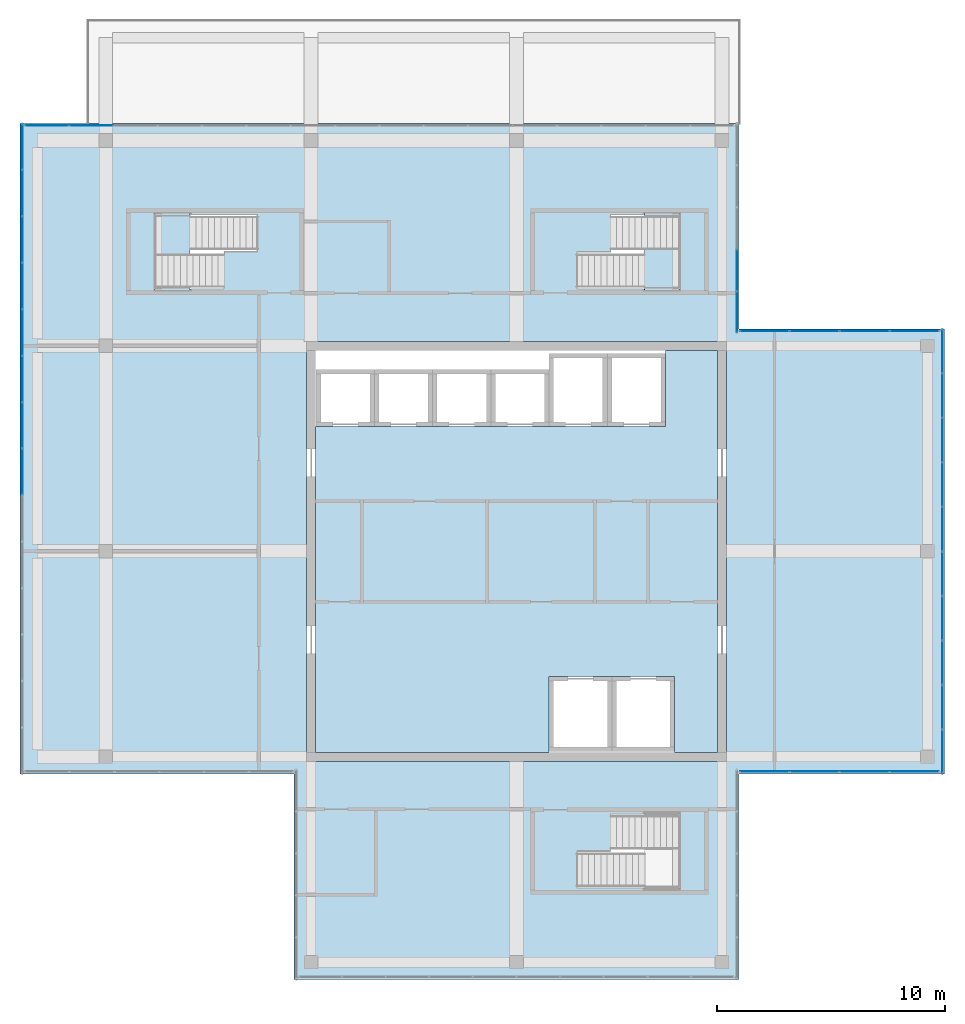
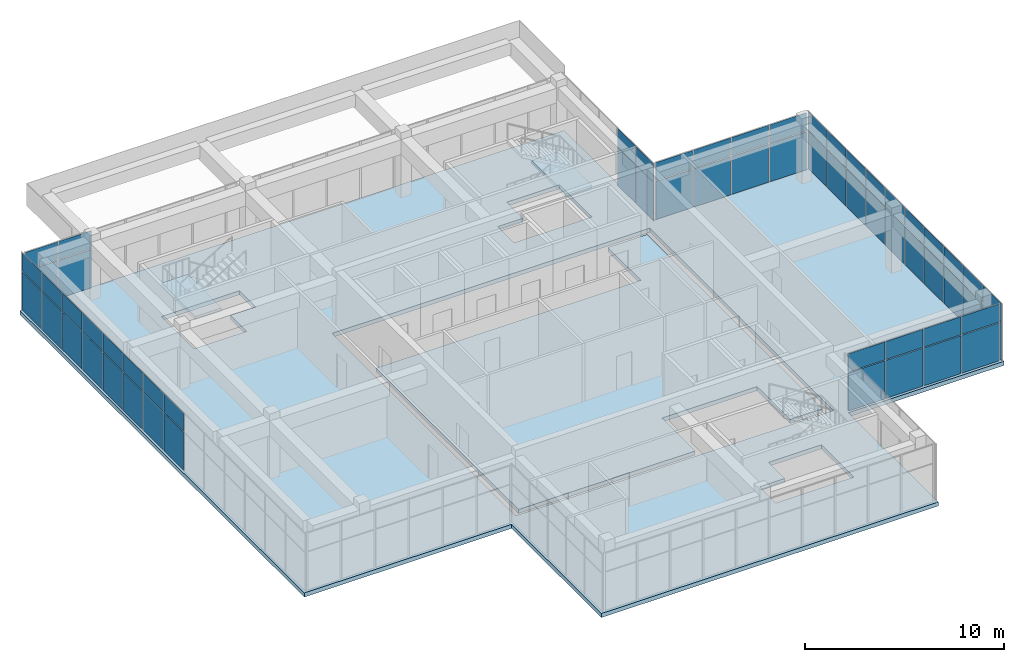
# One storey, part 30 of 35: 60 plates, 4 slabs, 8 elements without a shape of their own.
"""IFC4 building model written with IfcOpenShell, lengths in metres."""

from ifc_helpers import new_model, si_unit, direction, frame, origin, origin_2d, place, context, subcontext, project, spatial, polyline, rectangle, outline, extrude, material, layer, layer_set, type_object, element, aggregate, save


model = new_model("IFC4")

# Units and contexts
model_context = context("Model", 3, precision=1e-05, world=origin(), true_north=direction((0.0, 1.0)))
body_context = subcontext(model_context, "Body", "Model", "MODEL_VIEW")
ifc_project = project(units=[si_unit("LENGTHUNIT", "METRE"), si_unit("AREAUNIT", "SQUARE_METRE"), si_unit("VOLUMEUNIT", "CUBIC_METRE"), si_unit("PLANEANGLEUNIT", "RADIAN"), si_unit("MASSUNIT", "GRAM", prefix="KILO")], contexts=[model_context])

# Site, building, storey
site_placement = place(None, origin())
site = spatial("IfcSite", under=ifc_project, at=site_placement, CompositionType="ELEMENT")
building_placement = place(site_placement, origin())
building = spatial("IfcBuilding", under=site, at=building_placement, Name="Tuart Plaza Theatre", CompositionType="ELEMENT")
storey_placement = place(building_placement, frame((0.0, 0.0, 49.5)))
storey = spatial("IfcBuildingStorey", under=building, at=storey_placement, Name="L12", CompositionType="ELEMENT", Elevation=49.5)

# Curtain wall, plates
ifc_material_1 = material(Name="Aluminium and glass", Category="aluminium")
ifc_layer_1 = layer(ifc_material_1, 0.10009765625)
ifc_layer_set_1 = layer_set([ifc_layer_1], Name="CURTAIN WALL 2000 module")
curtain_wall_type = type_object("IfcCurtainWallType", Name="CURTAIN WALL 2000 module", PredefinedType="NOTDEFINED", material=ifc_layer_set_1)
curtain_wall_1_placement = place(storey_placement, origin())
curtain_wall_1 = element("IfcCurtainWall", 1, at=curtain_wall_1_placement, inside=storey, type_object=curtain_wall_type, Name="CW101", PredefinedType="NOTDEFINED")
ifc_material_2 = material(Name="Glass", Category="glass")
ifc_layer_2 = layer(ifc_material_2, 0.028076171875)
ifc_layer_set_2 = layer_set([ifc_layer_2], Name="CURTAIN PANEL double glazed 28")
plate_type_1 = type_object("IfcPlateType", Name="CURTAIN PANEL double glazed 28", PredefinedType="CURTAIN_PANEL", material=ifc_layer_set_2)
plate_1_placement = place(storey_placement, frame((142.862548828125, 64.35009765625, 0.0498046875), z_axis=(0.0, 0.0, 1.0), x_axis=(1.0, 0.0, 0.0)))
plate_1 = element("IfcPlate", 2, at=plate_1_placement, type_object=plate_type_1, Name="CW101 panel 1.1", PredefinedType="CURTAIN_PANEL", context=body_context, shape_type="SweptSolid", body=[
    extrude(rectangle(XDim=2.125, YDim=0.028076171875, at=origin_2d()), origin(), (0.0, 0.0, 1.0), 2.324951171875),
])
plate_2_placement = place(storey_placement, frame((142.862548828125, 64.35009765625, 2.425048828125), z_axis=(0.0, 0.0, 1.0), x_axis=(1.0, 0.0, 0.0)))
plate_2 = element("IfcPlate", 3, at=plate_2_placement, type_object=plate_type_1, Name="CW101 panel 1.2", PredefinedType="CURTAIN_PANEL", context=body_context, shape_type="SweptSolid", body=[
    extrude(rectangle(XDim=2.125, YDim=0.028076171875, at=origin_2d()), origin(), (0.0, 0.0, 1.0), 1.10498046875),
])
plate_3_placement = place(storey_placement, frame((145.050048828125, 64.35009765625, 0.0498046875), z_axis=(0.0, 0.0, 1.0), x_axis=(1.0, 0.0, 0.0)))
plate_3 = element("IfcPlate", 4, at=plate_3_placement, type_object=plate_type_1, Name="CW101 panel 2.1", PredefinedType="CURTAIN_PANEL", context=body_context, shape_type="SweptSolid", body=[
    extrude(rectangle(XDim=2.14990234375, YDim=0.028076171875, at=origin_2d()), origin(), (0.0, 0.0, 1.0), 2.324951171875),
])
plate_4_placement = place(storey_placement, frame((145.050048828125, 64.35009765625, 2.425048828125), z_axis=(0.0, 0.0, 1.0), x_axis=(1.0, 0.0, 0.0)))
plate_4 = element("IfcPlate", 5, at=plate_4_placement, type_object=plate_type_1, Name="CW101 panel 2.2", PredefinedType="CURTAIN_PANEL", context=body_context, shape_type="SweptSolid", body=[
    extrude(rectangle(XDim=2.14990234375, YDim=0.028076171875, at=origin_2d()), origin(), (0.0, 0.0, 1.0), 1.10498046875),
])
plate_5_placement = place(storey_placement, frame((149.4375, 64.35009765625, 0.0498046875), z_axis=(0.0, 0.0, 1.0), x_axis=(1.0, 0.0, 0.0)))
plate_5 = element("IfcPlate", 6, at=plate_5_placement, type_object=plate_type_1, Name="CW101 panel 4.1", PredefinedType="CURTAIN_PANEL", context=body_context, shape_type="SweptSolid", body=[
    extrude(rectangle(XDim=2.125, YDim=0.028076171875, at=origin_2d()), origin(), (0.0, 0.0, 1.0), 2.324951171875),
])
plate_6_placement = place(storey_placement, frame((149.4375, 64.35009765625, 2.425048828125), z_axis=(0.0, 0.0, 1.0), x_axis=(1.0, 0.0, 0.0)))
plate_6 = element("IfcPlate", 7, at=plate_6_placement, type_object=plate_type_1, Name="CW101 panel 4.2", PredefinedType="CURTAIN_PANEL", context=body_context, shape_type="SweptSolid", body=[
    extrude(rectangle(XDim=2.125, YDim=0.028076171875, at=origin_2d()), origin(), (0.0, 0.0, 1.0), 1.10498046875),
])

curtain_wall_2_placement = place(storey_placement, origin())
curtain_wall_2 = element("IfcCurtainWall", 8, at=curtain_wall_2_placement, inside=storey, type_object=curtain_wall_type, Name="CW102", PredefinedType="NOTDEFINED")
plate_7_placement = place(storey_placement, frame((150.64990234375, 65.237548828125, 0.0498046875), z_axis=(0.0, 0.0, 1.0), x_axis=(0.0, 1.0, 0.0)))
plate_7 = element("IfcPlate", 9, at=plate_7_placement, type_object=plate_type_1, Name="CW102 panel 1.1", PredefinedType="CURTAIN_PANEL", context=body_context, shape_type="SweptSolid", body=[
    extrude(rectangle(XDim=1.875, YDim=0.028076171875, at=origin_2d()), origin(), (0.0, 0.0, 1.0), 2.324951171875),
])
plate_8_placement = place(storey_placement, frame((150.64990234375, 65.237548828125, 2.425048828125), z_axis=(0.0, 0.0, 1.0), x_axis=(0.0, 1.0, 0.0)))
plate_8 = element("IfcPlate", 10, at=plate_8_placement, type_object=plate_type_1, Name="CW102 panel 1.2", PredefinedType="CURTAIN_PANEL", context=body_context, shape_type="SweptSolid", body=[
    extrude(rectangle(XDim=1.875, YDim=0.028076171875, at=origin_2d()), origin(), (0.0, 0.0, 1.0), 1.10498046875),
])
plate_9_placement = place(storey_placement, frame((150.64990234375, 67.175048828125, 0.0498046875), z_axis=(0.0, 0.0, 1.0), x_axis=(0.0, 1.0, 0.0)))
plate_9 = element("IfcPlate", 11, at=plate_9_placement, type_object=plate_type_1, Name="CW102 panel 2.1", PredefinedType="CURTAIN_PANEL", context=body_context, shape_type="SweptSolid", body=[
    extrude(rectangle(XDim=1.89990234375, YDim=0.028076171875, at=origin_2d()), origin(), (0.0, 0.0, 1.0), 2.324951171875),
])
plate_10_placement = place(storey_placement, frame((150.64990234375, 67.175048828125, 2.425048828125), z_axis=(0.0, 0.0, 1.0), x_axis=(0.0, 1.0, 0.0)))
plate_10 = element("IfcPlate", 12, at=plate_10_placement, type_object=plate_type_1, Name="CW102 panel 2.2", PredefinedType="CURTAIN_PANEL", context=body_context, shape_type="SweptSolid", body=[
    extrude(rectangle(XDim=1.89990234375, YDim=0.028076171875, at=origin_2d()), origin(), (0.0, 0.0, 1.0), 1.10498046875),
])
plate_11_placement = place(storey_placement, frame((150.64990234375, 69.125, 0.0498046875), z_axis=(0.0, 0.0, 1.0), x_axis=(0.0, 1.0, 0.0)))
plate_11 = element("IfcPlate", 13, at=plate_11_placement, type_object=plate_type_1, Name="CW102 panel 3.1", PredefinedType="CURTAIN_PANEL", context=body_context, shape_type="SweptSolid", body=[
    extrude(rectangle(XDim=1.89990234375, YDim=0.028076171875, at=origin_2d()), origin(), (0.0, 0.0, 1.0), 2.324951171875),
])
plate_12_placement = place(storey_placement, frame((150.64990234375, 69.125, 2.425048828125), z_axis=(0.0, 0.0, 1.0), x_axis=(0.0, 1.0, 0.0)))
plate_12 = element("IfcPlate", 14, at=plate_12_placement, type_object=plate_type_1, Name="CW102 panel 3.2", PredefinedType="CURTAIN_PANEL", context=body_context, shape_type="SweptSolid", body=[
    extrude(rectangle(XDim=1.89990234375, YDim=0.028076171875, at=origin_2d()), origin(), (0.0, 0.0, 1.0), 1.10498046875),
])
plate_13_placement = place(storey_placement, frame((150.64990234375, 71.074951171875, 0.0498046875), z_axis=(0.0, 0.0, 1.0), x_axis=(0.0, 1.0, 0.0)))
plate_13 = element("IfcPlate", 15, at=plate_13_placement, type_object=plate_type_1, Name="CW102 panel 4.1", PredefinedType="CURTAIN_PANEL", context=body_context, shape_type="SweptSolid", body=[
    extrude(rectangle(XDim=1.89990234375, YDim=0.028076171875, at=origin_2d()), origin(), (0.0, 0.0, 1.0), 2.324951171875),
])
plate_14_placement = place(storey_placement, frame((150.64990234375, 71.074951171875, 2.425048828125), z_axis=(0.0, 0.0, 1.0), x_axis=(0.0, 1.0, 0.0)))
plate_14 = element("IfcPlate", 16, at=plate_14_placement, type_object=plate_type_1, Name="CW102 panel 4.2", PredefinedType="CURTAIN_PANEL", context=body_context, shape_type="SweptSolid", body=[
    extrude(rectangle(XDim=1.89990234375, YDim=0.028076171875, at=origin_2d()), origin(), (0.0, 0.0, 1.0), 1.10498046875),
])
plate_15_placement = place(storey_placement, frame((150.64990234375, 73.02490234375, 0.0498046875), z_axis=(0.0, 0.0, 1.0), x_axis=(0.0, 1.0, 0.0)))
plate_15 = element("IfcPlate", 17, at=plate_15_placement, type_object=plate_type_1, Name="CW102 panel 5.1", PredefinedType="CURTAIN_PANEL", context=body_context, shape_type="SweptSolid", body=[
    extrude(rectangle(XDim=1.89990234375, YDim=0.028076171875, at=origin_2d()), origin(), (0.0, 0.0, 1.0), 2.324951171875),
])
plate_16_placement = place(storey_placement, frame((150.64990234375, 73.02490234375, 2.425048828125), z_axis=(0.0, 0.0, 1.0), x_axis=(0.0, 1.0, 0.0)))
plate_16 = element("IfcPlate", 18, at=plate_16_placement, type_object=plate_type_1, Name="CW102 panel 5.2", PredefinedType="CURTAIN_PANEL", context=body_context, shape_type="SweptSolid", body=[
    extrude(rectangle(XDim=1.89990234375, YDim=0.028076171875, at=origin_2d()), origin(), (0.0, 0.0, 1.0), 1.10498046875),
])
plate_17_placement = place(storey_placement, frame((150.64990234375, 74.97509765625, 0.0498046875), z_axis=(0.0, 0.0, 1.0), x_axis=(0.0, 1.0, 0.0)))
plate_17 = element("IfcPlate", 19, at=plate_17_placement, type_object=plate_type_1, Name="CW102 panel 6.1", PredefinedType="CURTAIN_PANEL", context=body_context, shape_type="SweptSolid", body=[
    extrude(rectangle(XDim=1.89990234375, YDim=0.028076171875, at=origin_2d()), origin(), (0.0, 0.0, 1.0), 2.324951171875),
])
plate_18_placement = place(storey_placement, frame((150.64990234375, 74.97509765625, 2.425048828125), z_axis=(0.0, 0.0, 1.0), x_axis=(0.0, 1.0, 0.0)))
plate_18 = element("IfcPlate", 20, at=plate_18_placement, type_object=plate_type_1, Name="CW102 panel 6.2", PredefinedType="CURTAIN_PANEL", context=body_context, shape_type="SweptSolid", body=[
    extrude(rectangle(XDim=1.89990234375, YDim=0.028076171875, at=origin_2d()), origin(), (0.0, 0.0, 1.0), 1.10498046875),
])
plate_19_placement = place(storey_placement, frame((150.64990234375, 76.925048828125, 0.0498046875), z_axis=(0.0, 0.0, 1.0), x_axis=(0.0, 1.0, 0.0)))
plate_19 = element("IfcPlate", 21, at=plate_19_placement, type_object=plate_type_1, Name="CW102 panel 7.1", PredefinedType="CURTAIN_PANEL", context=body_context, shape_type="SweptSolid", body=[
    extrude(rectangle(XDim=1.89990234375, YDim=0.028076171875, at=origin_2d()), origin(), (0.0, 0.0, 1.0), 2.324951171875),
])
plate_20_placement = place(storey_placement, frame((150.64990234375, 76.925048828125, 2.425048828125), z_axis=(0.0, 0.0, 1.0), x_axis=(0.0, 1.0, 0.0)))
plate_20 = element("IfcPlate", 22, at=plate_20_placement, type_object=plate_type_1, Name="CW102 panel 7.2", PredefinedType="CURTAIN_PANEL", context=body_context, shape_type="SweptSolid", body=[
    extrude(rectangle(XDim=1.89990234375, YDim=0.028076171875, at=origin_2d()), origin(), (0.0, 0.0, 1.0), 1.10498046875),
])
plate_21_placement = place(storey_placement, frame((150.64990234375, 78.875, 0.0498046875), z_axis=(0.0, 0.0, 1.0), x_axis=(0.0, 1.0, 0.0)))
plate_21 = element("IfcPlate", 23, at=plate_21_placement, type_object=plate_type_1, Name="CW102 panel 8.1", PredefinedType="CURTAIN_PANEL", context=body_context, shape_type="SweptSolid", body=[
    extrude(rectangle(XDim=1.89990234375, YDim=0.028076171875, at=origin_2d()), origin(), (0.0, 0.0, 1.0), 2.324951171875),
])
plate_22_placement = place(storey_placement, frame((150.64990234375, 78.875, 2.425048828125), z_axis=(0.0, 0.0, 1.0), x_axis=(0.0, 1.0, 0.0)))
plate_22 = element("IfcPlate", 24, at=plate_22_placement, type_object=plate_type_1, Name="CW102 panel 8.2", PredefinedType="CURTAIN_PANEL", context=body_context, shape_type="SweptSolid", body=[
    extrude(rectangle(XDim=1.89990234375, YDim=0.028076171875, at=origin_2d()), origin(), (0.0, 0.0, 1.0), 1.10498046875),
])
plate_23_placement = place(storey_placement, frame((150.64990234375, 80.824951171875, 0.0498046875), z_axis=(0.0, 0.0, 1.0), x_axis=(0.0, 1.0, 0.0)))
plate_23 = element("IfcPlate", 25, at=plate_23_placement, type_object=plate_type_1, Name="CW102 panel 9.1", PredefinedType="CURTAIN_PANEL", context=body_context, shape_type="SweptSolid", body=[
    extrude(rectangle(XDim=1.89990234375, YDim=0.028076171875, at=origin_2d()), origin(), (0.0, 0.0, 1.0), 2.324951171875),
])
plate_24_placement = place(storey_placement, frame((150.64990234375, 80.824951171875, 2.425048828125), z_axis=(0.0, 0.0, 1.0), x_axis=(0.0, 1.0, 0.0)))
plate_24 = element("IfcPlate", 26, at=plate_24_placement, type_object=plate_type_1, Name="CW102 panel 9.2", PredefinedType="CURTAIN_PANEL", context=body_context, shape_type="SweptSolid", body=[
    extrude(rectangle(XDim=1.89990234375, YDim=0.028076171875, at=origin_2d()), origin(), (0.0, 0.0, 1.0), 1.10498046875),
])
plate_25_placement = place(storey_placement, frame((150.64990234375, 82.762451171875, 0.0498046875), z_axis=(0.0, 0.0, 1.0), x_axis=(0.0, 1.0, 0.0)))
plate_25 = element("IfcPlate", 27, at=plate_25_placement, type_object=plate_type_1, Name="CW102 panel 10.1", PredefinedType="CURTAIN_PANEL", context=body_context, shape_type="SweptSolid", body=[
    extrude(rectangle(XDim=1.875, YDim=0.028076171875, at=origin_2d()), origin(), (0.0, 0.0, 1.0), 2.324951171875),
])
plate_26_placement = place(storey_placement, frame((150.64990234375, 82.762451171875, 2.425048828125), z_axis=(0.0, 0.0, 1.0), x_axis=(0.0, 1.0, 0.0)))
plate_26 = element("IfcPlate", 28, at=plate_26_placement, type_object=plate_type_1, Name="CW102 panel 10.2", PredefinedType="CURTAIN_PANEL", context=body_context, shape_type="SweptSolid", body=[
    extrude(rectangle(XDim=1.875, YDim=0.028076171875, at=origin_2d()), origin(), (0.0, 0.0, 1.0), 1.10498046875),
])
aggregate(curtain_wall_2, [plate_7, plate_8, plate_9, plate_10, plate_11, plate_12, plate_13, plate_14, plate_15, plate_16, plate_17, plate_18, plate_19, plate_20, plate_21, plate_22, plate_23, plate_24, plate_25, plate_26])

curtain_wall_3_placement = place(storey_placement, origin())
curtain_wall_3 = element("IfcCurtainWall", 29, at=curtain_wall_3_placement, inside=storey, type_object=curtain_wall_type, Name="CW103", PredefinedType="NOTDEFINED")
plate_27_placement = place(storey_placement, frame((149.4375, 83.64990234375, 0.0498046875), z_axis=(0.0, 0.0, 1.0), x_axis=(-1.0, 0.0, 0.0)))
plate_27 = element("IfcPlate", 30, at=plate_27_placement, type_object=plate_type_1, Name="CW103 panel 1.1", PredefinedType="CURTAIN_PANEL", context=body_context, shape_type="SweptSolid", body=[
    extrude(rectangle(XDim=2.125, YDim=0.028076171875, at=origin_2d()), origin(), (0.0, 0.0, 1.0), 2.324951171875),
])
plate_28_placement = place(storey_placement, frame((149.4375, 83.64990234375, 2.425048828125), z_axis=(0.0, 0.0, 1.0), x_axis=(-1.0, 0.0, 0.0)))
plate_28 = element("IfcPlate", 31, at=plate_28_placement, type_object=plate_type_1, Name="CW103 panel 1.2", PredefinedType="CURTAIN_PANEL", context=body_context, shape_type="SweptSolid", body=[
    extrude(rectangle(XDim=2.125, YDim=0.028076171875, at=origin_2d()), origin(), (0.0, 0.0, 1.0), 1.10498046875),
])
plate_29_placement = place(storey_placement, frame((147.25, 83.64990234375, 0.0498046875), z_axis=(0.0, 0.0, 1.0), x_axis=(-1.0, 0.0, 0.0)))
plate_29 = element("IfcPlate", 32, at=plate_29_placement, type_object=plate_type_1, Name="CW103 panel 2.1", PredefinedType="CURTAIN_PANEL", context=body_context, shape_type="SweptSolid", body=[
    extrude(rectangle(XDim=2.14990234375, YDim=0.028076171875, at=origin_2d()), origin(), (0.0, 0.0, 1.0), 2.324951171875),
])
plate_30_placement = place(storey_placement, frame((147.25, 83.64990234375, 2.425048828125), z_axis=(0.0, 0.0, 1.0), x_axis=(-1.0, 0.0, 0.0)))
plate_30 = element("IfcPlate", 33, at=plate_30_placement, type_object=plate_type_1, Name="CW103 panel 2.2", PredefinedType="CURTAIN_PANEL", context=body_context, shape_type="SweptSolid", body=[
    extrude(rectangle(XDim=2.14990234375, YDim=0.028076171875, at=origin_2d()), origin(), (0.0, 0.0, 1.0), 1.10498046875),
])
plate_31_placement = place(storey_placement, frame((145.050048828125, 83.64990234375, 0.0498046875), z_axis=(0.0, 0.0, 1.0), x_axis=(-1.0, 0.0, 0.0)))
plate_31 = element("IfcPlate", 34, at=plate_31_placement, type_object=plate_type_1, Name="CW103 panel 3.1", PredefinedType="CURTAIN_PANEL", context=body_context, shape_type="SweptSolid", body=[
    extrude(rectangle(XDim=2.14990234375, YDim=0.028076171875, at=origin_2d()), origin(), (0.0, 0.0, 1.0), 2.324951171875),
])
plate_32_placement = place(storey_placement, frame((145.050048828125, 83.64990234375, 2.425048828125), z_axis=(0.0, 0.0, 1.0), x_axis=(-1.0, 0.0, 0.0)))
plate_32 = element("IfcPlate", 35, at=plate_32_placement, type_object=plate_type_1, Name="CW103 panel 3.2", PredefinedType="CURTAIN_PANEL", context=body_context, shape_type="SweptSolid", body=[
    extrude(rectangle(XDim=2.14990234375, YDim=0.028076171875, at=origin_2d()), origin(), (0.0, 0.0, 1.0), 1.10498046875),
])
plate_33_placement = place(storey_placement, frame((142.862548828125, 83.64990234375, 0.0498046875), z_axis=(0.0, 0.0, 1.0), x_axis=(-1.0, 0.0, 0.0)))
plate_33 = element("IfcPlate", 36, at=plate_33_placement, type_object=plate_type_1, Name="CW103 panel 4.1", PredefinedType="CURTAIN_PANEL", context=body_context, shape_type="SweptSolid", body=[
    extrude(rectangle(XDim=2.125, YDim=0.028076171875, at=origin_2d()), origin(), (0.0, 0.0, 1.0), 2.324951171875),
])
plate_34_placement = place(storey_placement, frame((142.862548828125, 83.64990234375, 2.425048828125), z_axis=(0.0, 0.0, 1.0), x_axis=(-1.0, 0.0, 0.0)))
plate_34 = element("IfcPlate", 37, at=plate_34_placement, type_object=plate_type_1, Name="CW103 panel 4.2", PredefinedType="CURTAIN_PANEL", context=body_context, shape_type="SweptSolid", body=[
    extrude(rectangle(XDim=2.125, YDim=0.028076171875, at=origin_2d()), origin(), (0.0, 0.0, 1.0), 1.10498046875),
])
aggregate(curtain_wall_3, [plate_27, plate_28, plate_29, plate_30, plate_31, plate_32, plate_33, plate_34])

curtain_wall_4_placement = place(storey_placement, origin())
curtain_wall_4 = element("IfcCurtainWall", 38, at=curtain_wall_4_placement, inside=storey, type_object=curtain_wall_type, Name="CW104", PredefinedType="NOTDEFINED")
plate_35_placement = place(storey_placement, frame((141.64990234375, 84.482421875, 0.0498046875), z_axis=(0.0, 0.0, 1.0), x_axis=(0.0, 1.0, 0.0)))
plate_35 = element("IfcPlate", 39, at=plate_35_placement, type_object=plate_type_1, Name="CW104 panel 1.1", PredefinedType="CURTAIN_PANEL", context=body_context, shape_type="SweptSolid", body=[
    extrude(rectangle(XDim=1.764892578125, YDim=0.028076171875, at=origin_2d()), origin(), (0.0, 0.0, 1.0), 2.324951171875),
])
plate_36_placement = place(storey_placement, frame((141.64990234375, 84.482421875, 2.425048828125), z_axis=(0.0, 0.0, 1.0), x_axis=(0.0, 1.0, 0.0)))
plate_36 = element("IfcPlate", 40, at=plate_36_placement, type_object=plate_type_1, Name="CW104 panel 1.2", PredefinedType="CURTAIN_PANEL", context=body_context, shape_type="SweptSolid", body=[
    extrude(rectangle(XDim=1.764892578125, YDim=0.028076171875, at=origin_2d()), origin(), (0.0, 0.0, 1.0), 1.10498046875),
])
plate_37_placement = place(storey_placement, frame((141.64990234375, 86.31005859375, 0.0498046875), z_axis=(0.0, 0.0, 1.0), x_axis=(0.0, 1.0, 0.0)))
plate_37 = element("IfcPlate", 41, at=plate_37_placement, type_object=plate_type_1, Name="CW104 panel 2.1", PredefinedType="CURTAIN_PANEL", context=body_context, shape_type="SweptSolid", body=[
    extrude(rectangle(XDim=1.7900390625, YDim=0.028076171875, at=origin_2d()), origin(), (0.0, 0.0, 1.0), 2.324951171875),
])
plate_38_placement = place(storey_placement, frame((141.64990234375, 86.31005859375, 2.425048828125), z_axis=(0.0, 0.0, 1.0), x_axis=(0.0, 1.0, 0.0)))
plate_38 = element("IfcPlate", 42, at=plate_38_placement, type_object=plate_type_1, Name="CW104 panel 2.2", PredefinedType="CURTAIN_PANEL", context=body_context, shape_type="SweptSolid", body=[
    extrude(rectangle(XDim=1.7900390625, YDim=0.028076171875, at=origin_2d()), origin(), (0.0, 0.0, 1.0), 1.10498046875),
])
aggregate(curtain_wall_4, [plate_35, plate_36, plate_37, plate_38])

curtain_wall_5_placement = place(storey_placement, origin())
curtain_wall_5 = element("IfcCurtainWall", 43, at=curtain_wall_5_placement, inside=storey, type_object=curtain_wall_type, Name="CW105", PredefinedType="NOTDEFINED")
plate_39_placement = place(storey_placement, frame((113.36572265625, 92.64990234375, 0.0498046875), z_axis=(0.0, 0.0, 1.0), x_axis=(-1.0, 0.0, 0.0)))
plate_39 = element("IfcPlate", 44, at=plate_39_placement, type_object=plate_type_1, Name="CW105 panel 15.1", PredefinedType="CURTAIN_PANEL", context=body_context, shape_type="SweptSolid", body=[
    extrude(rectangle(XDim=1.893798828125, YDim=0.028076171875, at=origin_2d()), origin(), (0.0, 0.0, 1.0), 2.324951171875),
])
plate_40_placement = place(storey_placement, frame((113.36572265625, 92.64990234375, 2.425048828125), z_axis=(0.0, 0.0, 1.0), x_axis=(-1.0, 0.0, 0.0)))
plate_40 = element("IfcPlate", 45, at=plate_40_placement, type_object=plate_type_1, Name="CW105 panel 15.2", PredefinedType="CURTAIN_PANEL", context=body_context, shape_type="SweptSolid", body=[
    extrude(rectangle(XDim=1.893798828125, YDim=0.028076171875, at=origin_2d()), origin(), (0.0, 0.0, 1.0), 1.10498046875),
])
plate_41_placement = place(storey_placement, frame((111.434326171875, 92.64990234375, 0.0498046875), z_axis=(0.0, 0.0, 1.0), x_axis=(-1.0, 0.0, 0.0)))
plate_41 = element("IfcPlate", 46, at=plate_41_placement, type_object=plate_type_1, Name="CW105 panel 16.1", PredefinedType="CURTAIN_PANEL", context=body_context, shape_type="SweptSolid", body=[
    extrude(rectangle(XDim=1.86865234375, YDim=0.028076171875, at=origin_2d()), origin(), (0.0, 0.0, 1.0), 2.324951171875),
])
plate_42_placement = place(storey_placement, frame((111.434326171875, 92.64990234375, 2.425048828125), z_axis=(0.0, 0.0, 1.0), x_axis=(-1.0, 0.0, 0.0)))
plate_42 = element("IfcPlate", 47, at=plate_42_placement, type_object=plate_type_1, Name="CW105 panel 16.2", PredefinedType="CURTAIN_PANEL", context=body_context, shape_type="SweptSolid", body=[
    extrude(rectangle(XDim=1.86865234375, YDim=0.028076171875, at=origin_2d()), origin(), (0.0, 0.0, 1.0), 1.10498046875),
])
aggregate(curtain_wall_5, [plate_39, plate_40, plate_41, plate_42])

curtain_wall_6_placement = place(storey_placement, origin())
curtain_wall_6 = element("IfcCurtainWall", 48, at=curtain_wall_6_placement, inside=storey, type_object=curtain_wall_type, Name="CW106", PredefinedType="NOTDEFINED")
plate_43_placement = place(storey_placement, frame((110.35009765625, 91.7197265625, 0.0498046875), z_axis=(0.0, 0.0, 1.0), x_axis=(0.0, -1.0, 0.0)))
plate_43 = element("IfcPlate", 49, at=plate_43_placement, type_object=plate_type_1, Name="CW106 panel 1.1", PredefinedType="CURTAIN_PANEL", context=body_context, shape_type="SweptSolid", body=[
    extrude(rectangle(XDim=1.960693359375, YDim=0.028076171875, at=origin_2d()), origin(), (0.0, 0.0, 1.0), 2.324951171875),
])
plate_44_placement = place(storey_placement, frame((110.35009765625, 91.7197265625, 2.425048828125), z_axis=(0.0, 0.0, 1.0), x_axis=(0.0, -1.0, 0.0)))
plate_44 = element("IfcPlate", 50, at=plate_44_placement, type_object=plate_type_1, Name="CW106 panel 1.2", PredefinedType="CURTAIN_PANEL", context=body_context, shape_type="SweptSolid", body=[
    extrude(rectangle(XDim=1.960693359375, YDim=0.028076171875, at=origin_2d()), origin(), (0.0, 0.0, 1.0), 1.10498046875),
])
plate_45_placement = place(storey_placement, frame((110.35009765625, 89.696533203125, 0.0498046875), z_axis=(0.0, 0.0, 1.0), x_axis=(0.0, -1.0, 0.0)))
plate_45 = element("IfcPlate", 51, at=plate_45_placement, type_object=plate_type_1, Name="CW106 panel 2.1", PredefinedType="CURTAIN_PANEL", context=body_context, shape_type="SweptSolid", body=[
    extrude(rectangle(XDim=1.985595703125, YDim=0.028076171875, at=origin_2d()), origin(), (0.0, 0.0, 1.0), 2.324951171875),
])
plate_46_placement = place(storey_placement, frame((110.35009765625, 89.696533203125, 2.425048828125), z_axis=(0.0, 0.0, 1.0), x_axis=(0.0, -1.0, 0.0)))
plate_46 = element("IfcPlate", 52, at=plate_46_placement, type_object=plate_type_1, Name="CW106 panel 2.2", PredefinedType="CURTAIN_PANEL", context=body_context, shape_type="SweptSolid", body=[
    extrude(rectangle(XDim=1.985595703125, YDim=0.028076171875, at=origin_2d()), origin(), (0.0, 0.0, 1.0), 1.10498046875),
])
plate_47_placement = place(storey_placement, frame((110.35009765625, 87.66064453125, 0.0498046875), z_axis=(0.0, 0.0, 1.0), x_axis=(0.0, -1.0, 0.0)))
plate_47 = element("IfcPlate", 53, at=plate_47_placement, type_object=plate_type_1, Name="CW106 panel 3.1", PredefinedType="CURTAIN_PANEL", context=body_context, shape_type="SweptSolid", body=[
    extrude(rectangle(XDim=1.985595703125, YDim=0.028076171875, at=origin_2d()), origin(), (0.0, 0.0, 1.0), 2.324951171875),
])
plate_48_placement = place(storey_placement, frame((110.35009765625, 87.66064453125, 2.425048828125), z_axis=(0.0, 0.0, 1.0), x_axis=(0.0, -1.0, 0.0)))
plate_48 = element("IfcPlate", 54, at=plate_48_placement, type_object=plate_type_1, Name="CW106 panel 3.2", PredefinedType="CURTAIN_PANEL", context=body_context, shape_type="SweptSolid", body=[
    extrude(rectangle(XDim=1.985595703125, YDim=0.028076171875, at=origin_2d()), origin(), (0.0, 0.0, 1.0), 1.10498046875),
])
plate_49_placement = place(storey_placement, frame((110.35009765625, 85.625, 0.0498046875), z_axis=(0.0, 0.0, 1.0), x_axis=(0.0, -1.0, 0.0)))
plate_49 = element("IfcPlate", 55, at=plate_49_placement, type_object=plate_type_1, Name="CW106 panel 4.1", PredefinedType="CURTAIN_PANEL", context=body_context, shape_type="SweptSolid", body=[
    extrude(rectangle(XDim=1.985595703125, YDim=0.028076171875, at=origin_2d()), origin(), (0.0, 0.0, 1.0), 2.324951171875),
])
plate_50_placement = place(storey_placement, frame((110.35009765625, 85.625, 2.425048828125), z_axis=(0.0, 0.0, 1.0), x_axis=(0.0, -1.0, 0.0)))
plate_50 = element("IfcPlate", 56, at=plate_50_placement, type_object=plate_type_1, Name="CW106 panel 4.2", PredefinedType="CURTAIN_PANEL", context=body_context, shape_type="SweptSolid", body=[
    extrude(rectangle(XDim=1.985595703125, YDim=0.028076171875, at=origin_2d()), origin(), (0.0, 0.0, 1.0), 1.10498046875),
])
plate_51_placement = place(storey_placement, frame((110.35009765625, 83.58935546875, 0.0498046875), z_axis=(0.0, 0.0, 1.0), x_axis=(0.0, -1.0, 0.0)))
plate_51 = element("IfcPlate", 57, at=plate_51_placement, type_object=plate_type_1, Name="CW106 panel 5.1", PredefinedType="CURTAIN_PANEL", context=body_context, shape_type="SweptSolid", body=[
    extrude(rectangle(XDim=1.985595703125, YDim=0.028076171875, at=origin_2d()), origin(), (0.0, 0.0, 1.0), 2.324951171875),
])
plate_52_placement = place(storey_placement, frame((110.35009765625, 83.58935546875, 2.425048828125), z_axis=(0.0, 0.0, 1.0), x_axis=(0.0, -1.0, 0.0)))
plate_52 = element("IfcPlate", 58, at=plate_52_placement, type_object=plate_type_1, Name="CW106 panel 5.2", PredefinedType="CURTAIN_PANEL", context=body_context, shape_type="SweptSolid", body=[
    extrude(rectangle(XDim=1.985595703125, YDim=0.028076171875, at=origin_2d()), origin(), (0.0, 0.0, 1.0), 1.10498046875),
])
plate_53_placement = place(storey_placement, frame((110.35009765625, 81.553466796875, 0.0498046875), z_axis=(0.0, 0.0, 1.0), x_axis=(0.0, -1.0, 0.0)))
plate_53 = element("IfcPlate", 59, at=plate_53_placement, type_object=plate_type_1, Name="CW106 panel 6.1", PredefinedType="CURTAIN_PANEL", context=body_context, shape_type="SweptSolid", body=[
    extrude(rectangle(XDim=1.985595703125, YDim=0.028076171875, at=origin_2d()), origin(), (0.0, 0.0, 1.0), 2.324951171875),
])
plate_54_placement = place(storey_placement, frame((110.35009765625, 81.553466796875, 2.425048828125), z_axis=(0.0, 0.0, 1.0), x_axis=(0.0, -1.0, 0.0)))
plate_54 = element("IfcPlate", 60, at=plate_54_placement, type_object=plate_type_1, Name="CW106 panel 6.2", PredefinedType="CURTAIN_PANEL", context=body_context, shape_type="SweptSolid", body=[
    extrude(rectangle(XDim=1.985595703125, YDim=0.028076171875, at=origin_2d()), origin(), (0.0, 0.0, 1.0), 1.10498046875),
])
plate_55_placement = place(storey_placement, frame((110.35009765625, 79.517822265625, 0.0498046875), z_axis=(0.0, 0.0, 1.0), x_axis=(0.0, -1.0, 0.0)))
plate_55 = element("IfcPlate", 61, at=plate_55_placement, type_object=plate_type_1, Name="CW106 panel 7.1", PredefinedType="CURTAIN_PANEL", context=body_context, shape_type="SweptSolid", body=[
    extrude(rectangle(XDim=1.985595703125, YDim=0.028076171875, at=origin_2d()), origin(), (0.0, 0.0, 1.0), 2.324951171875),
])
plate_56_placement = place(storey_placement, frame((110.35009765625, 79.517822265625, 2.425048828125), z_axis=(0.0, 0.0, 1.0), x_axis=(0.0, -1.0, 0.0)))
plate_56 = element("IfcPlate", 62, at=plate_56_placement, type_object=plate_type_1, Name="CW106 panel 7.2", PredefinedType="CURTAIN_PANEL", context=body_context, shape_type="SweptSolid", body=[
    extrude(rectangle(XDim=1.985595703125, YDim=0.028076171875, at=origin_2d()), origin(), (0.0, 0.0, 1.0), 1.10498046875),
])
plate_57_placement = place(storey_placement, frame((110.35009765625, 77.482177734375, 0.0498046875), z_axis=(0.0, 0.0, 1.0), x_axis=(0.0, -1.0, 0.0)))
plate_57 = element("IfcPlate", 63, at=plate_57_placement, type_object=plate_type_1, Name="CW106 panel 8.1", PredefinedType="CURTAIN_PANEL", context=body_context, shape_type="SweptSolid", body=[
    extrude(rectangle(XDim=1.985595703125, YDim=0.028076171875, at=origin_2d()), origin(), (0.0, 0.0, 1.0), 2.324951171875),
])
plate_58_placement = place(storey_placement, frame((110.35009765625, 77.482177734375, 2.425048828125), z_axis=(0.0, 0.0, 1.0), x_axis=(0.0, -1.0, 0.0)))
plate_58 = element("IfcPlate", 64, at=plate_58_placement, type_object=plate_type_1, Name="CW106 panel 8.2", PredefinedType="CURTAIN_PANEL", context=body_context, shape_type="SweptSolid", body=[
    extrude(rectangle(XDim=1.985595703125, YDim=0.028076171875, at=origin_2d()), origin(), (0.0, 0.0, 1.0), 1.10498046875),
])
aggregate(curtain_wall_6, [plate_43, plate_44, plate_45, plate_46, plate_47, plate_48, plate_49, plate_50, plate_51, plate_52, plate_53, plate_54, plate_55, plate_56, plate_57, plate_58])

# Plate
ifc_material_3 = material(Name="Zinc")
ifc_layer_3 = layer(ifc_material_3, 0.028076171875)
ifc_layer_set_3 = layer_set([ifc_layer_3], Name="CURTAIN PANEL zinc 28")
plate_type_2 = type_object("IfcPlateType", Name="CURTAIN PANEL zinc 28", PredefinedType="CURTAIN_PANEL", material=ifc_layer_set_3)
plate_59_placement = place(storey_placement, frame((147.25, 64.35009765625, 0.0498046875), z_axis=(0.0, 0.0, 1.0), x_axis=(1.0, 0.0, 0.0)))
plate_59 = element("IfcPlate", 65, at=plate_59_placement, type_object=plate_type_2, Name="CW101 zinc panel 3.1", PredefinedType="CURTAIN_PANEL", context=body_context, shape_type="SweptSolid", body=[
    extrude(rectangle(XDim=2.14990234375, YDim=0.028076171875, at=origin_2d()), origin(), (0.0, 0.0, 1.0), 2.324951171875),
])

plate_60_placement = place(storey_placement, frame((147.25, 64.35009765625, 2.425048828125), z_axis=(0.0, 0.0, 1.0), x_axis=(1.0, 0.0, 0.0)))
plate_60 = element("IfcPlate", 66, at=plate_60_placement, type_object=plate_type_2, Name="CW101 zinc panel 3.2", PredefinedType="CURTAIN_PANEL", context=body_context, shape_type="SweptSolid", body=[
    extrude(rectangle(XDim=2.14990234375, YDim=0.028076171875, at=origin_2d()), origin(), (0.0, 0.0, 1.0), 1.10498046875),
])

aggregate(curtain_wall_1, [plate_1, plate_2, plate_3, plate_4, plate_59, plate_60, plate_5, plate_6])

# Slabs
ifc_material_4 = material(Name="Concrete N40 (40 MPa)", Category="concrete")
ifc_layer_4 = layer(ifc_material_4, 0.25)
ifc_layer_set_4 = layer_set([ifc_layer_4], Name="SLAB Floor 250 Concrete N40 (40 MPa)")
slab_type_1 = type_object("IfcSlabType", Name="SLAB Floor 250 Concrete N40 (40 MPa)", PredefinedType="FLOOR", material=ifc_layer_set_4)
slab_1_placement = place(storey_placement, frame((0.0, 0.0, -0.25)))
element("IfcSlab", 67, at=slab_1_placement, inside=storey, type_object=slab_type_1, Name="S96", PredefinedType="FLOOR", context=body_context, shape_type="SweptSolid", body=[
    extrude(outline(polyline([(141.75, 92.75), (110.25, 92.75), (110.25, 64.25), (122.25, 64.25), (122.25, 55.25), (141.75, 55.25), (141.75, 64.25), (150.75, 64.25), (150.75, 83.75), (141.75, 83.75), (141.75, 92.75)]), holes=[polyline([(141.199951171875, 64.800048828125), (141.199951171875, 83.199951171875), (122.800048828125, 83.199951171875), (122.800048828125, 64.800048828125), (141.199951171875, 64.800048828125)]), polyline([(136.114990234375, 62.5), (136.114990234375, 60.875), (134.655029296875, 60.875), (134.655029296875, 59.25), (139.169921875, 59.25), (139.169921875, 62.5), (136.114990234375, 62.5)]), polyline([(139.169921875, 88.75), (136.114990234375, 88.75), (136.114990234375, 87.125), (134.655029296875, 87.125), (134.655029296875, 85.5), (139.169921875, 85.5), (139.169921875, 88.75)]), polyline([(116.1298828125, 88.75), (116.1298828125, 85.5), (119.18505859375, 85.5), (119.18505859375, 87.125), (120.64501953125, 87.125), (120.64501953125, 88.75), (116.1298828125, 88.75)])]), origin(), (0.0, 0.0, 1.0), 0.25),
])
slab_2_placement = place(storey_placement, frame((0.0, 0.0, -0.25)))
element("IfcSlab", 68, at=slab_2_placement, inside=storey, type_object=slab_type_1, Name="S97", PredefinedType="FLOOR", context=body_context, shape_type="SweptSolid", body=[
    extrude(outline(polyline([(123.199951171875, 65.199951171875), (133.425048828125, 65.199951171875), (133.425048828125, 68.52490234375), (138.925048828125, 68.52490234375), (138.925048828125, 65.199951171875), (140.800048828125, 65.199951171875), (140.800048828125, 82.800048828125), (138.52490234375, 82.800048828125), (138.52490234375, 79.47509765625), (123.199951171875, 79.47509765625), (123.199951171875, 65.199951171875)])), origin(), (0.0, 0.0, 1.0), 0.25),
])

# Stair, slab
ifc_material_5 = material(Name="Concrete N40 (40 MPa)", Category="concrete")
stair_type = type_object("IfcStairType", Name="STAIR half turn 1500", PredefinedType="HALF_TURN_STAIR", material=ifc_material_5)
stair_1_placement = place(storey_placement, origin())
stair_1 = element("IfcStair", 69, at=stair_1_placement, inside=storey, type_object=stair_type, Name="SC-11", PredefinedType="HALF_TURN_STAIR")
ifc_material_6 = material(Name="Concrete N40 (40 MPa)", Category="concrete")
ifc_layer_5 = layer(ifc_material_6, 0.199951171875)
ifc_layer_set_5 = layer_set([ifc_layer_5], Name="STAIR LANDING 200")
slab_type_2 = type_object("IfcSlabType", Name="STAIR LANDING 200", PredefinedType="LANDING", material=ifc_layer_set_5)
slab_3_placement = place(storey_placement, frame((0.0, 0.0, 1.800048828125)))
slab_3 = element("IfcSlab", 70, at=slab_3_placement, type_object=slab_type_2, Name="SC-11 landing 1", PredefinedType="LANDING", context=body_context, shape_type="SweptSolid", body=[
    extrude(outline(polyline([(137.60009765625, 85.427001953125), (139.1298828125, 85.427001953125), (139.1298828125, 88.822998046875), (137.60009765625, 88.822998046875), (137.60009765625, 85.427001953125)])), origin(), (0.0, 0.0, 1.0), 0.199951171875),
])
aggregate(stair_1, [slab_3])

stair_2_placement = place(storey_placement, origin())
stair_2 = element("IfcStair", 71, at=stair_2_placement, inside=storey, type_object=stair_type, Name="SC-17", PredefinedType="HALF_TURN_STAIR")
slab_4_placement = place(storey_placement, frame((0.0, 0.0, 1.800048828125)))
slab_4 = element("IfcSlab", 72, at=slab_4_placement, type_object=slab_type_2, Name="SC-17 landing 1", PredefinedType="LANDING", context=body_context, shape_type="SweptSolid", body=[
    extrude(outline(polyline([(117.699951171875, 88.822998046875), (116.169921875, 88.822998046875), (116.169921875, 85.427001953125), (117.699951171875, 85.427001953125), (117.699951171875, 88.822998046875)])), origin(), (0.0, 0.0, 1.0), 0.199951171875),
])
aggregate(stair_2, [slab_4])

save(model, "model.ifc")
